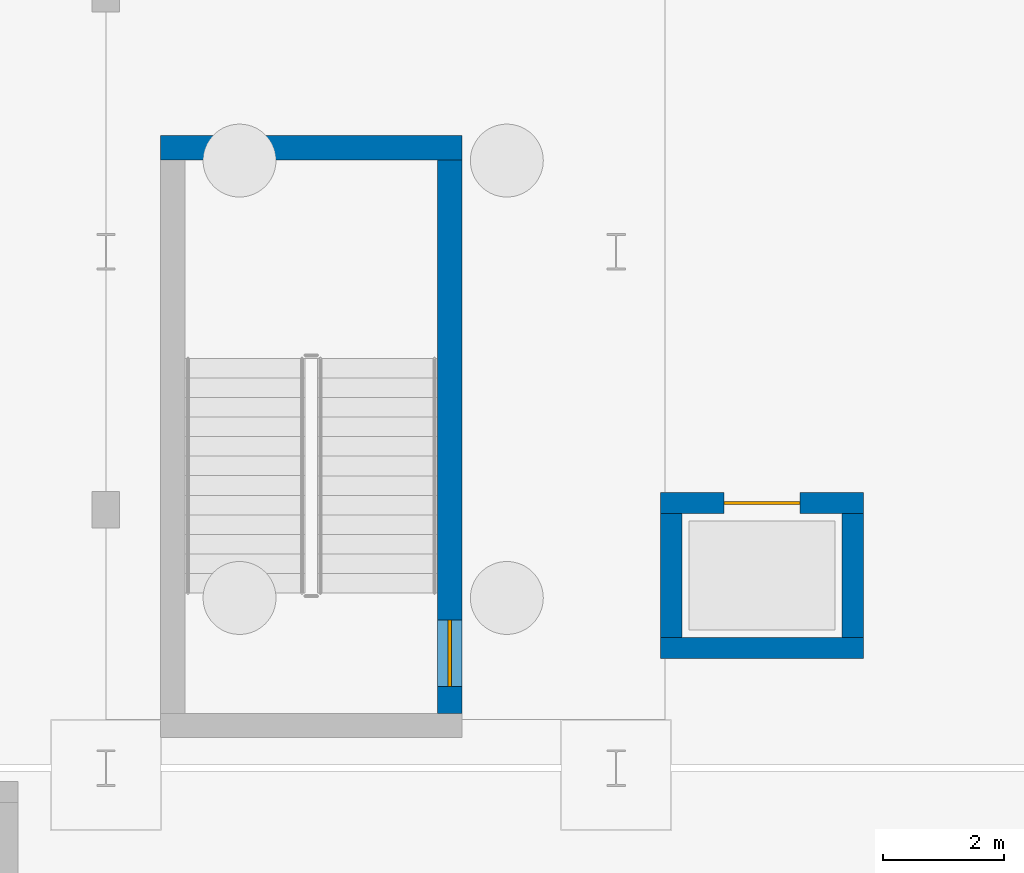
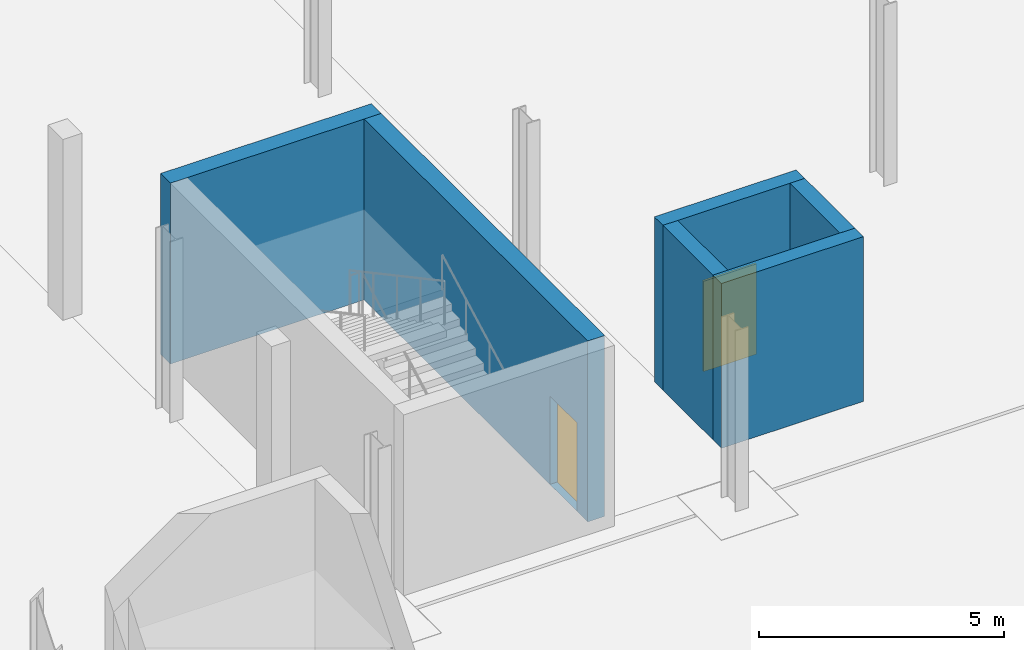
# One storey, part 25 of 45: 6 walls, 2 doors, 2 openings.
"""IFC4 building model written with IfcOpenShell, lengths in metres."""

from ifc_helpers import new_model, si_unit, direction, frame, frame_2d, origin, place, context, subcontext, project, spatial, rectangle, extrude, material, layer, layer_set, type_object, element, fill, save


model = new_model("IFC4")

# Units and contexts
model_context = context("Model", 3, precision=1e-05, world=origin(), true_north=direction((0.0, 1.0)))
body_context = subcontext(model_context, "Body", "Model", "MODEL_VIEW")
ifc_project = project(units=[si_unit("LENGTHUNIT", "METRE"), si_unit("AREAUNIT", "SQUARE_METRE"), si_unit("VOLUMEUNIT", "CUBIC_METRE"), si_unit("PLANEANGLEUNIT", "RADIAN"), si_unit("MASSUNIT", "GRAM", prefix="KILO")], contexts=[model_context])

# Site, building, storey
site_placement = place(None, origin())
site = spatial("IfcSite", under=ifc_project, at=site_placement, CompositionType="ELEMENT")
building_placement = place(site_placement, origin())
building = spatial("IfcBuilding", under=site, at=building_placement, Name="Sefraquen Railside Congress Hotel", CompositionType="ELEMENT")
storey_placement = place(building_placement, frame((0.0, 0.0, -4.5)))
storey = spatial("IfcBuildingStorey", under=building, at=storey_placement, Name="B01", CompositionType="ELEMENT", Elevation=-4.5)

# Wall, opening, door
ifc_material_1 = material(Name="Concrete C50/60", Category="concrete")
ifc_layer_1 = layer(ifc_material_1, 0.35009765625)
ifc_layer_set_1 = layer_set([ifc_layer_1], Name="Concrete C50/60")
wall_type_1 = type_object("IfcWallType", Name="TW-CW-350", PredefinedType="SHEAR", material=ifc_layer_set_1)
wall_1_placement = place(storey_placement, frame((112.330078125, 58.364990234375, 0.0), z_axis=(0.0, 0.0, 1.0), x_axis=(1.0, 0.0, 0.0)))
wall_1 = element("IfcWall", 1, at=wall_1_placement, inside=storey, type_object=wall_type_1, Name="Lift SL-01 shaft wall N B01", PredefinedType="SHEAR", context=body_context, shape_type="SweptSolid", body=[
    extrude(rectangle(XDim=3.33984375, YDim=0.35009765625, at=frame_2d((1.669921875, 0.0))), origin(), (0.0, 0.0, 1.0), 4.10009765625),
])
opening_1_placement = place(wall_1_placement, frame((1.044921875, 0.0, 0.0)))
opening_1 = element("IfcOpeningElement", 2, at=opening_1_placement, cuts=wall_1, Name="Opening LD-02", PredefinedType="OPENING", context=body_context, shape_type="SweptSolid", body=[
    extrude(rectangle(XDim=1.25, YDim=2.25, at=frame_2d((0.625, 1.125))), frame((0.0, 0.18505859375, 0.0), z_axis=(0.0, -1.0, 0.0), x_axis=(1.0, 0.0, 0.0)), (0.0, 0.0, 1.0), 0.3701171875),
])
ifc_material_2 = material(Name="Brushed stainless steel", Category="steel")
door_type_1 = type_object("IfcDoorType", Name="TD-LD-02", OperationType="NOTDEFINED", PredefinedType="DOOR", material=ifc_material_2)
door_1_placement = place(opening_1_placement, origin())
door_1 = element("IfcDoor", 3, at=door_1_placement, inside=storey, type_object=door_type_1, Name="Lift landing door SL-01 B01", OperationType="SLIDING_TO_LEFT", OverallHeight=2.25, OverallWidth=1.25, PredefinedType="DOOR", context=body_context, shape_type="SweptSolid", body=[
    extrude(rectangle(XDim=1.25, YDim=2.25, at=frame_2d((0.625, 1.125))), frame((0.0, 0.02490234375, 0.0), z_axis=(0.0, -1.0, 0.0), x_axis=(1.0, 0.0, 0.0)), (0.0, 0.0, 1.0), 0.050048828125),
])
fill(opening_1, door_1)

# Walls
wall_2_placement = place(storey_placement, frame((112.330078125, 55.97509765625, 0.0), z_axis=(0.0, 0.0, 1.0), x_axis=(1.0, 0.0, 0.0)))
element("IfcWall", 4, at=wall_2_placement, inside=storey, type_object=wall_type_1, Name="Lift SL-01 shaft wall S B01", PredefinedType="SHEAR", context=body_context, shape_type="SweptSolid", body=[
    extrude(rectangle(XDim=3.33984375, YDim=0.35009765625, at=frame_2d((1.669921875, 0.0))), origin(), (0.0, 0.0, 1.0), 4.10009765625),
])
for number, where, z_axis, x_axis, name in (
    (5, (112.5048828125, 56.14990234375, 0.0), (0.0, 0.0, 1.0), (0.0, 1.0, 0.0), "Lift SL-01 shaft wall W B01"),
    (6, (115.4951171875, 56.14990234375, 0.0), (0.0, 0.0, 1.0), (0.0, 1.0, 0.0), "Lift SL-01 shaft wall E B01"),
):
    element("IfcWall", number, at=place(storey_placement, frame(where, z_axis=z_axis, x_axis=x_axis)), inside=storey, type_object=wall_type_1, Name=name, PredefinedType="SHEAR", context=body_context, shape_type="SweptSolid", body=[
        extrude(rectangle(XDim=2.0400390625, YDim=0.35009765625, at=frame_2d((1.02001953125, 0.0))), origin(), (0.0, 0.0, 1.0), 4.10009765625),
    ])
ifc_layer_2 = layer(ifc_material_1, 0.39990234375)
ifc_layer_set_2 = layer_set([ifc_layer_2], Name="Concrete C50/60")
wall_type_2 = type_object("IfcWallType", Name="TW-CW-400", PredefinedType="SHEAR", material=ifc_layer_set_2)
wall_3_placement = place(storey_placement, frame((104.10009765625, 64.2119140625, 0.0), z_axis=(0.0, 0.0, 1.0), x_axis=(1.0, 0.0, 0.0)))
element("IfcWall", 7, at=wall_3_placement, inside=storey, type_object=wall_type_2, Name="Core shear wall ST-M02 N B01", PredefinedType="SHEAR", context=body_context, shape_type="SweptSolid", body=[
    extrude(rectangle(XDim=4.9599609375, YDim=0.39990234375, at=frame_2d((2.47998046875, 0.0))), origin(), (0.0, 0.0, 1.0), 4.5),
])

# Wall, opening, door
wall_4_placement = place(storey_placement, frame((108.860107421875, 54.89990234375, 0.0), z_axis=(0.0, 0.0, 1.0), x_axis=(0.0, 1.0, 0.0)))
wall_4 = element("IfcWall", 8, at=wall_4_placement, inside=storey, type_object=wall_type_2, Name="Core shear wall ST-M02 E B01", PredefinedType="SHEAR", context=body_context, shape_type="SweptSolid", body=[
    extrude(rectangle(XDim=9.112060546875, YDim=0.39990234375, at=frame_2d((4.55615234375, 0.0))), origin(), (0.0, 0.0, 1.0), 4.5),
])
opening_2_placement = place(wall_4_placement, frame((0.43994140625, 0.0, 0.0)))
opening_2 = element("IfcOpeningElement", 9, at=opening_2_placement, cuts=wall_4, Name="Opening FD-04", PredefinedType="OPENING", context=body_context, shape_type="SweptSolid", body=[
    extrude(rectangle(XDim=1.10009765625, YDim=2.199951171875, at=frame_2d((0.550048828125, 1.10009765625))), frame((0.0, 0.2099609375, 0.0), z_axis=(0.0, -1.0, 0.0), x_axis=(1.0, 0.0, 0.0)), (0.0, 0.0, 1.0), 0.419921875),
])
ifc_material_3 = material(Name="Fire-rated steel", Category="steel")
door_type_2 = type_object("IfcDoorType", Name="TD-FD-04", OperationType="NOTDEFINED", PredefinedType="DOOR", material=ifc_material_3)
door_2_placement = place(opening_2_placement, origin())
door_2 = element("IfcDoor", 10, at=door_2_placement, inside=storey, type_object=door_type_2, Name="Pressurized stair ST-M02 fire door B01", OperationType="SINGLE_SWING_LEFT", OverallHeight=2.199951171875, OverallWidth=1.10009765625, PredefinedType="DOOR", context=body_context, shape_type="SweptSolid", body=[
    extrude(rectangle(XDim=1.10009765625, YDim=2.199951171875, at=frame_2d((0.550048828125, 1.10009765625))), frame((0.0, 0.02490234375, 0.0), z_axis=(0.0, -1.0, 0.0), x_axis=(1.0, 0.0, 0.0)), (0.0, 0.0, 1.0), 0.050048828125),
])
fill(opening_2, door_2)

save(model, "model.ifc")
